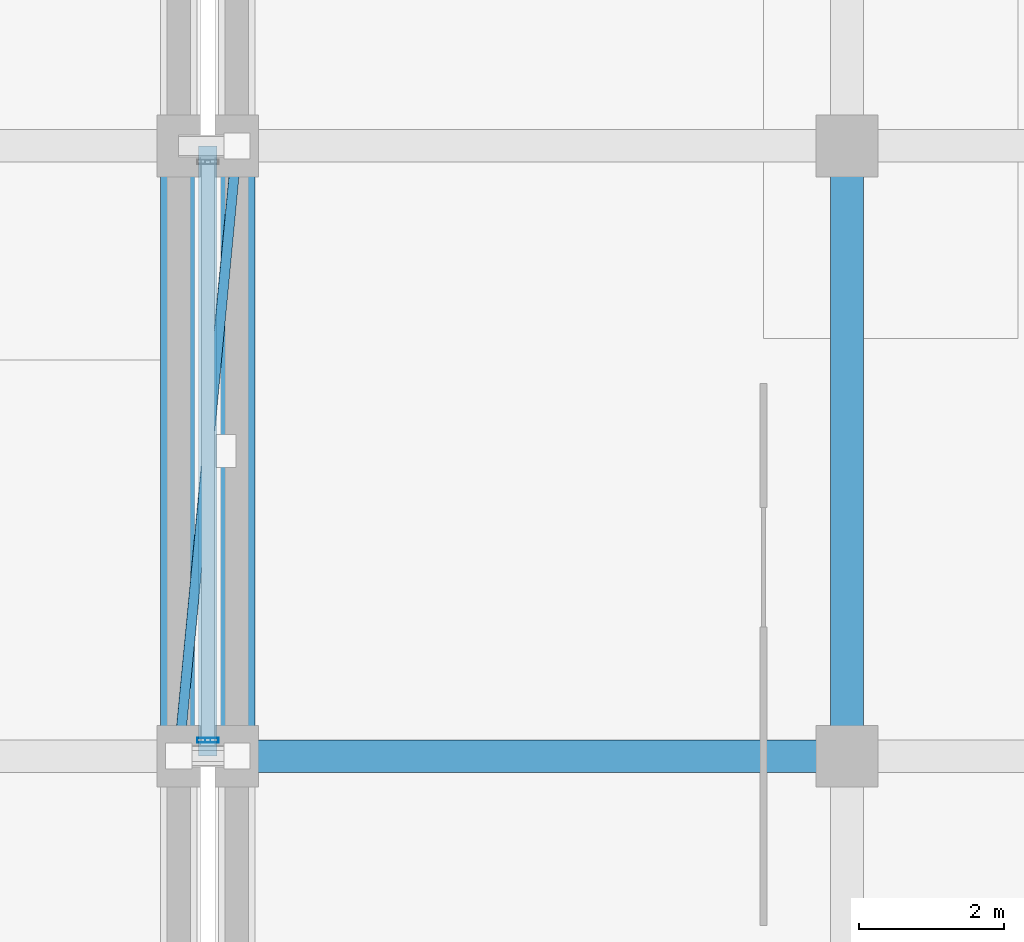
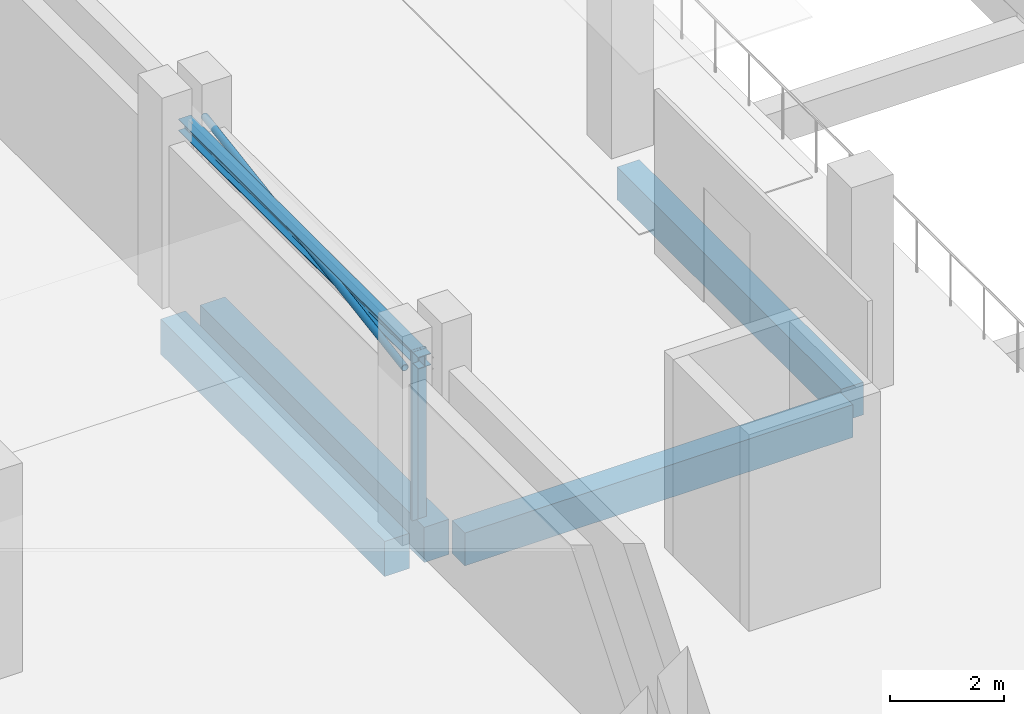
# One storey, part 35 of 137: 5 beams, 3 members, 1 element without a shape of its own.
"""IFC4 building model written with IfcOpenShell, lengths in metres."""

from ifc_helpers import new_model, si_unit, direction, frame, origin, origin_2d, place, context, subcontext, project, spatial, rectangle, hollow_rectangle, hollow_circle, i_section, extrude, material, layer, layer_set, material_profile, profile_set, type_object, element, aggregate, save


model = new_model("IFC4")

# Units and contexts
model_context = context("Model", 3, precision=1e-05, world=origin(), true_north=direction((0.0, 1.0)))
body_context = subcontext(model_context, "Body", "Model", "MODEL_VIEW")
ifc_project = project(units=[si_unit("LENGTHUNIT", "METRE"), si_unit("AREAUNIT", "SQUARE_METRE"), si_unit("VOLUMEUNIT", "CUBIC_METRE"), si_unit("PLANEANGLEUNIT", "RADIAN"), si_unit("MASSUNIT", "GRAM", prefix="KILO")], contexts=[model_context])

# Site, building, storey
site_placement = place(None, origin())
site = spatial("IfcSite", under=ifc_project, at=site_placement, CompositionType="ELEMENT")
building_placement = place(site_placement, origin())
building = spatial("IfcBuilding", under=site, at=building_placement, Name="Xazarin Passage Department Store", CompositionType="ELEMENT")
storey_placement = place(building_placement, frame((0.0, 0.0, 5.39990234375)))
storey = spatial("IfcBuildingStorey", under=building, at=storey_placement, Name="L01", CompositionType="ELEMENT", Elevation=5.39990234375)

# Curtain wall, members
ifc_material_1 = material(Name="Bronze anodised aluminium", Category="aluminium")
ifc_layer = layer(ifc_material_1, 0.14990234375)
ifc_layer_set = layer_set([ifc_layer], Name="Bronze anodised aluminium")
curtain_wall_type = type_object("IfcCurtainWallType", Name="ARC-CW-BRG1", PredefinedType="NOTDEFINED", material=ifc_layer_set)
curtain_wall_placement = place(storey_placement, origin())
curtain_wall = element("IfcCurtainWall", 1, at=curtain_wall_placement, inside=storey, type_object=curtain_wall_type, Name="L01 BR-V2S-V3 Bridge Curtain Wall 1", PredefinedType="NOTDEFINED")
ifc_material_profile_1 = material_profile(ifc_material_1, hollow_rectangle(XDim=0.06494140625, YDim=0.179931640625, WallThickness=0.00390625, at=origin_2d()), Name="ALU 65x180")
ifc_profile_set_1 = profile_set([ifc_material_profile_1], Name="Bronze anodised aluminium")
member_type_1 = type_object("IfcMemberType", Name="ARC-CWM-65x180", PredefinedType="MULLION", material=ifc_profile_set_1)
member_1_placement = place(storey_placement, frame((67.54248046875, 25.419921875, 0.0), z_axis=(0.0, 0.0, 1.0), x_axis=(0.0, 1.0, 0.0)))
member_1 = element("IfcMember", 2, at=member_1_placement, type_object=member_type_1, Name="CW7 mullion 1", PredefinedType="MULLION", context=body_context, shape_type="SweptSolid", body=[
    extrude(hollow_rectangle(XDim=0.06494140625, YDim=0.179931640625, WallThickness=0.00390625, at=origin_2d()), origin(), (0.0, 0.0, 1.0), 3.60009765625),
])
member_2_placement = place(storey_placement, frame((67.657470703125, 25.419921875, 0.0), z_axis=(0.0, 0.0, 1.0), x_axis=(0.0, 1.0, 0.0)))
member_2 = element("IfcMember", 3, at=member_2_placement, type_object=member_type_1, Name="CW7 mullion 2", PredefinedType="MULLION", context=body_context, shape_type="SweptSolid", body=[
    extrude(hollow_rectangle(XDim=0.06494140625, YDim=0.179931640625, WallThickness=0.00390625, at=origin_2d()), origin(), (0.0, 0.0, 1.0), 3.60009765625),
])
aggregate(curtain_wall, [member_1, member_2])

# Beams
ifc_material_2 = material(Name="Steel S355", Category="steel")
ifc_material_profile_2 = material_profile(ifc_material_2, i_section(OverallWidth=0.260009765625, OverallDepth=0.25, WebThickness=0.007568359375, FlangeThickness=0.012451171875, FilletRadius=0.02392578125, at=origin_2d()), Name="HEA 260")
ifc_profile_set_2 = profile_set([ifc_material_profile_2], Name="Steel S355")
beam_type_1 = type_object("IfcBeamType", Name="STR-BM-CAN260", PredefinedType="BEAM", material=ifc_profile_set_2)
beam_placement = place(storey_placement, frame((67.60009765625, 25.199951171875, 3.47509765625), z_axis=(0.0, 1.0, 0.0), x_axis=(-1.0, 0.0, 0.0)))
element("IfcBeam", 4, at=beam_placement, inside=storey, type_object=beam_type_1, Name="L01 BR-V2S-V3 Bridge Roof Mid Beam", PredefinedType="BEAM", context=body_context, shape_type="SweptSolid", body=[
    extrude(i_section(OverallWidth=0.260009765625, OverallDepth=0.25, WebThickness=0.007568359375, FlangeThickness=0.012451171875, FilletRadius=0.02392578125, at=origin_2d()), origin(), (0.0, 0.0, 1.0), 8.400146484375),
])
ifc_material_3 = material(Name="Concrete C35/45", Category="concrete")
ifc_material_profile_3 = material_profile(ifc_material_3, rectangle(XDim=0.449951171875, YDim=0.699951171875, at=origin_2d()), Name="RC 450x700")
ifc_profile_set_3 = profile_set([ifc_material_profile_3], Name="Concrete C35/45")
beam_type_2 = type_object("IfcBeamType", Name="STR-BM-G450x700", PredefinedType="BEAM", material=ifc_profile_set_3)
for number, where, z_axis, x_axis, name in (
    (5, (68.280029296875, 25.199951171875, -0.64990234375), (1.0, 0.0, 0.0), (0.0, 1.0, 0.0), "L01 Grid Beam D/10-11"),
    (6, (76.39990234375, 25.47998046875, -0.64990234375), (0.0, 1.0, 0.0), (-1.0, 0.0, 0.0), "L01 Grid Beam 11/D-E"),
):
    element("IfcBeam", number, at=place(storey_placement, frame(where, z_axis=z_axis, x_axis=x_axis)), inside=storey, type_object=beam_type_2, Name=name, PredefinedType="BEAM", context=body_context, shape_type="SweptSolid", body=[
        extrude(rectangle(XDim=0.449951171875, YDim=0.699951171875, at=origin_2d()), origin(), (0.0, 0.0, 1.0), 7.840087890625),
    ])
ifc_material_profile_4 = material_profile(ifc_material_3, rectangle(XDim=0.5, YDim=0.75, at=origin_2d()), Name="RC 500x750")
ifc_profile_set_4 = profile_set([ifc_material_profile_4], Name="Concrete C35/45")
beam_type_3 = type_object("IfcBeamType", Name="STR-BM-SP500x750", PredefinedType="SPANDREL", material=ifc_profile_set_4)
for number, where, z_axis, x_axis, name in (
    (7, (68.0, 25.47998046875, -0.6748046875), (0.0, 1.0, 0.0), (-1.0, 0.0, 0.0), "L01 Grid Beam 10/D-E"),
    (8, (67.199951171875, 25.47998046875, -0.69482421875), (0.0, 1.0, 0.0), (-1.0, 0.0, 0.0), "L01 Grid Beam 9/D-E"),
):
    element("IfcBeam", number, at=place(storey_placement, frame(where, z_axis=z_axis, x_axis=x_axis)), inside=storey, type_object=beam_type_3, Name=name, PredefinedType="SPANDREL", context=body_context, shape_type="SweptSolid", body=[
        extrude(rectangle(XDim=0.5, YDim=0.75, at=origin_2d()), origin(), (0.0, 0.0, 1.0), 7.840087890625),
    ])

# Member
ifc_material_profile_5 = material_profile(ifc_material_2, hollow_circle(Radius=0.06982421875, WallThickness=0.008056640625, at=origin_2d()), Name="CHS 139.7x8")
ifc_profile_set_5 = profile_set([ifc_material_profile_5], Name="Steel S355")
member_type_2 = type_object("IfcMemberType", Name="STR-MEM-BR140", PredefinedType="BRACE", material=ifc_profile_set_5)
member_3_placement = place(storey_placement, frame((67.199951171875, 25.199951171875, 3.47509765625), z_axis=(0.094813188749, 0.995495082479, 0.0), x_axis=(-0.995495082479, 0.094813188749, 0.0)))
element("IfcMember", 9, at=member_3_placement, inside=storey, type_object=member_type_2, Name="L01 BR-V2S-V3 Bridge Roof Wind Diagonal", PredefinedType="BRACE", context=body_context, shape_type="SweptSolid", body=[
    extrude(hollow_circle(Radius=0.06982421875, WallThickness=0.008056640625, at=origin_2d()), origin(), (0.0, 0.0, 1.0), 8.438232421875),
])

save(model, "model.ifc")
